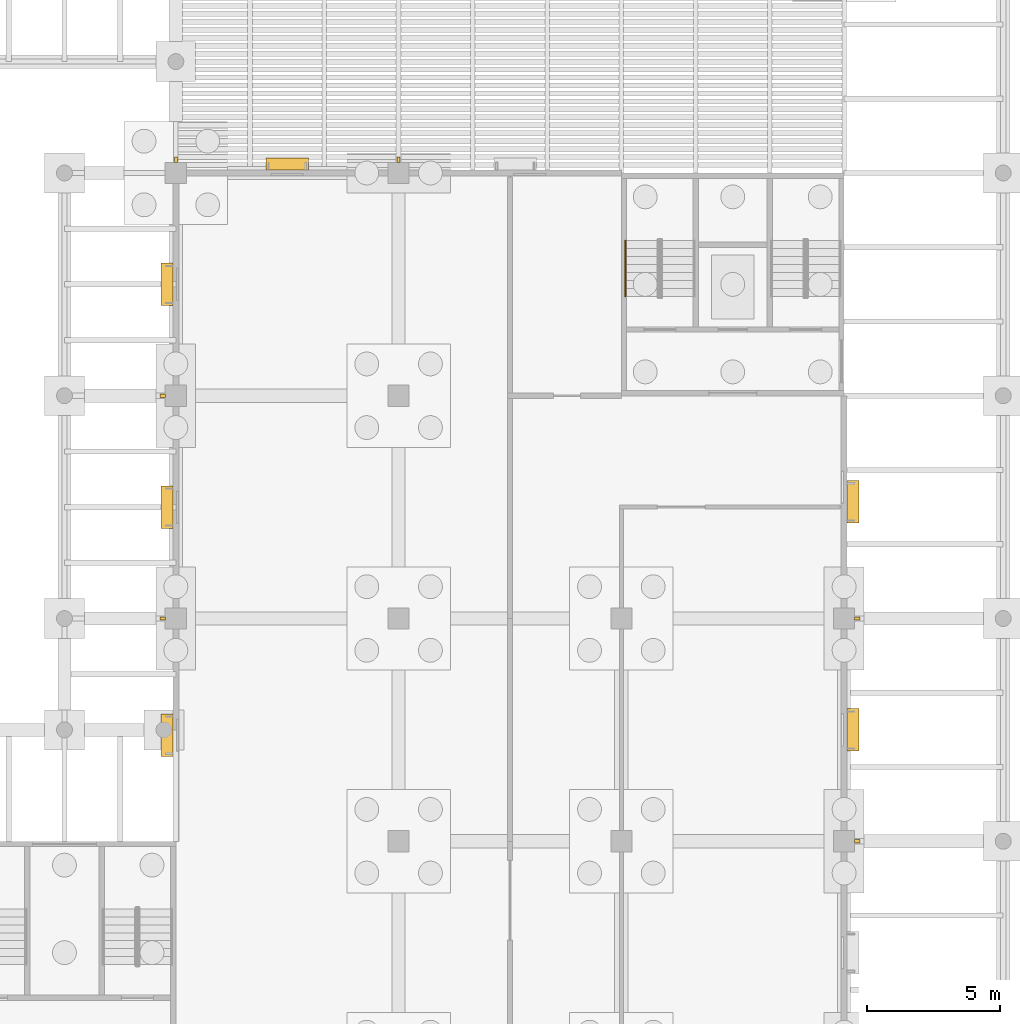
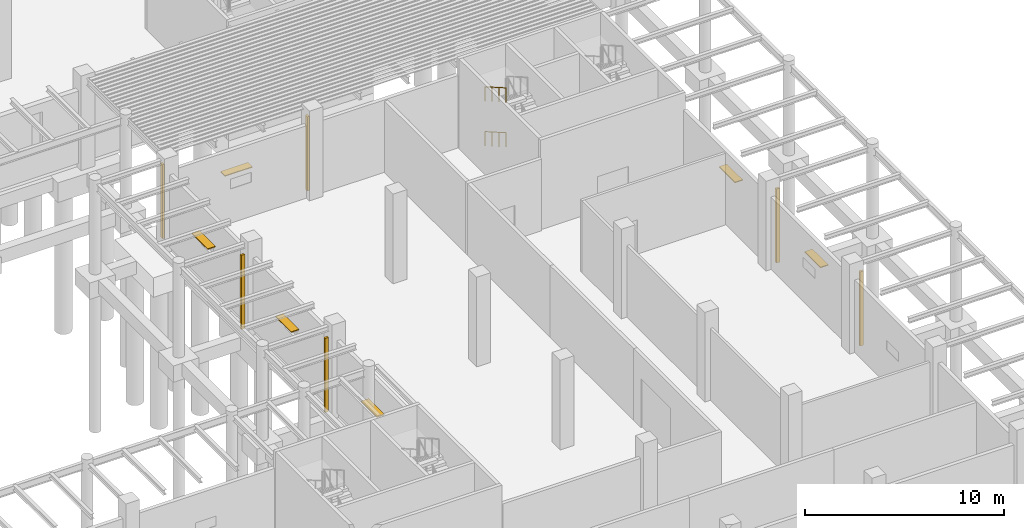
# One storey, part 76 of 82: 12 shading devices, 2 railings.
"""IFC4 building model written with IfcOpenShell, lengths in metres."""

from ifc_helpers import new_model, si_unit, direction, frame, origin, origin_2d, place, context, subcontext, project, spatial, rectangle, circle, extrude, material, material_profile, profile_set, type_object, element, save


model = new_model("IFC4")

# Units and contexts
model_context = context("Model", 3, precision=1e-05, world=origin(), true_north=direction((0.0, 1.0)))
body_context = subcontext(model_context, "Body", "Model", "MODEL_VIEW")
ifc_project = project(units=[si_unit("LENGTHUNIT", "METRE"), si_unit("AREAUNIT", "SQUARE_METRE"), si_unit("VOLUMEUNIT", "CUBIC_METRE"), si_unit("PLANEANGLEUNIT", "RADIAN"), si_unit("MASSUNIT", "GRAM", prefix="KILO")], contexts=[model_context])

# Site, building, storey
site_placement = place(None, origin())
site = spatial("IfcSite", under=ifc_project, at=site_placement, CompositionType="ELEMENT")
building_placement = place(site_placement, origin())
building = spatial("IfcBuilding", under=site, at=building_placement, Name="Almond Square Museum", CompositionType="ELEMENT")
storey_placement = place(building_placement, origin())
storey = spatial("IfcBuildingStorey", under=building, at=storey_placement, Name="L00", CompositionType="ELEMENT", Elevation=0.0)

# Railings
ifc_material_1 = material(Name="Stainless steel", Category="steel")
railing_type = type_object("IfcRailingType", Name="Stair handrail 900 steel", PredefinedType="HANDRAIL", material=ifc_material_1)
for number, where, name in (
    (1, (148.955078125, 39.449951171875, 1.546875), "L00 ST-33 stair handrail 2"),
    (2, (148.955078125, 39.449951171875, 4.296875), "L00 ST-33 stair handrail 4"),
):
    element("IfcRailing", number, at=place(storey_placement, frame(where)), inside=storey, type_object=railing_type, Name=name, PredefinedType="HANDRAIL", context=body_context, shape_type="SweptSolid", body=[
        extrude(circle(Radius=0.02392578125, at=origin_2d()), frame((0.0, 0.0, 0.8759765625), z_axis=(0.0, -0.867671429157, 0.497138100556), x_axis=(1.0, 0.0, 0.0)), (0.0, 0.0, 1.0), 2.420166015625),
        extrude(circle(Radius=0.02099609375, at=origin_2d()), origin(), (0.0, 0.0, 1.0), 0.851806640625),
        extrude(circle(Radius=0.02099609375, at=origin_2d()), frame((0.0, -0.699951171875, 0.401123046875)), (0.0, 0.0, 1.0), 0.851806640625),
        extrude(circle(Radius=0.02099609375, at=origin_2d()), frame((0.0, -1.39990234375, 0.802001953125)), (0.0, 0.0, 1.0), 0.851806640625),
        extrude(circle(Radius=0.02099609375, at=origin_2d()), frame((0.0, -2.099853515625, 1.203125)), (0.0, 0.0, 1.0), 0.851806640625),
    ])

# Shading devices
ifc_material_2 = material(Name="Anodised aluminium", Category="aluminium")
ifc_material_profile_1 = material_profile(ifc_material_2, rectangle(XDim=0.449951171875, YDim=0.050048828125, at=origin_2d()))
ifc_profile_set_1 = profile_set([ifc_material_profile_1], Name="Anodised aluminium")
shading_device_type_1 = type_object("IfcShadingDeviceType", Name="Sun-shade blade 450 x 50", PredefinedType="USERDEFINED", material=ifc_profile_set_1)
shading_device_1_placement = place(storey_placement, frame((157.532958984375, 20.199951171875, 2.820068359375), z_axis=(0.0, 1.0, 0.0), x_axis=(-1.0, 0.0, 0.0)))
element("IfcShadingDevice", 3, at=shading_device_1_placement, inside=storey, type_object=shading_device_type_1, Name="Sun-shade blade", ObjectType="LOUVRE", PredefinedType="USERDEFINED", context=body_context, shape_type="SweptSolid", body=[
    extrude(rectangle(XDim=0.449951171875, YDim=0.050048828125, at=origin_2d()), origin(), (0.0, 0.0, 1.0), 1.60009765625),
])
shading_device_2_placement = place(storey_placement, frame((157.532958984375, 28.800048828125, 2.820068359375), z_axis=(0.0, 1.0, 0.0), x_axis=(-1.0, 0.0, 0.0)))
element("IfcShadingDevice", 4, at=shading_device_2_placement, inside=storey, type_object=shading_device_type_1, Name="Sun-shade blade", ObjectType="LOUVRE", PredefinedType="USERDEFINED", context=body_context, shape_type="SweptSolid", body=[
    extrude(rectangle(XDim=0.449951171875, YDim=0.050048828125, at=origin_2d()), origin(), (0.0, 0.0, 1.0), 1.599853515625),
])
for number, where, z_axis, x_axis, name in (
    (5, (135.39990234375, 42.3330078125, 2.820068359375), (1.0, 0.0, 0.0), (0.0, 1.0, 0.0), "Sun-shade blade"),
    (6, (131.6669921875, 37.0, 2.820068359375), (0.0, 1.0, 0.0), (-1.0, 0.0, 0.0), "Sun-shade blade"),
):
    element("IfcShadingDevice", number, at=place(storey_placement, frame(where, z_axis=z_axis, x_axis=x_axis)), inside=storey, type_object=shading_device_type_1, Name=name, ObjectType="LOUVRE", PredefinedType="USERDEFINED", context=body_context, shape_type="SweptSolid", body=[
        extrude(rectangle(XDim=0.449951171875, YDim=0.050048828125, at=origin_2d()), origin(), (0.0, 0.0, 1.0), 1.60009765625),
    ])
shading_device_3_placement = place(storey_placement, frame((131.6669921875, 28.60009765625, 2.820068359375), z_axis=(0.0, 1.0, 0.0), x_axis=(-1.0, 0.0, 0.0)))
element("IfcShadingDevice", 7, at=shading_device_3_placement, inside=storey, type_object=shading_device_type_1, Name="Sun-shade blade", ObjectType="LOUVRE", PredefinedType="USERDEFINED", context=body_context, shape_type="SweptSolid", body=[
    extrude(rectangle(XDim=0.449951171875, YDim=0.050048828125, at=origin_2d()), origin(), (0.0, 0.0, 1.0), 1.599853515625),
])
shading_device_4_placement = place(storey_placement, frame((131.6669921875, 20.0, 2.820068359375), z_axis=(0.0, 1.0, 0.0), x_axis=(-1.0, 0.0, 0.0)))
element("IfcShadingDevice", 8, at=shading_device_4_placement, inside=storey, type_object=shading_device_type_1, Name="Sun-shade blade", ObjectType="LOUVRE", PredefinedType="USERDEFINED", context=body_context, shape_type="SweptSolid", body=[
    extrude(rectangle(XDim=0.449951171875, YDim=0.050048828125, at=origin_2d()), origin(), (0.0, 0.0, 1.0), 1.60009765625),
])
ifc_material_3 = material(Name="Anodised aluminium", Category="aluminium")
ifc_material_profile_2 = material_profile(ifc_material_3, rectangle(XDim=0.199951171875, YDim=0.1201171875, at=origin_2d()))
ifc_profile_set_2 = profile_set([ifc_material_profile_2], Name="Anodised aluminium")
shading_device_type_2 = type_object("IfcShadingDeviceType", Name="Vertical aluminium fin 200 x 120", PredefinedType="USERDEFINED", material=ifc_profile_set_2)
for number, where, z_axis, x_axis, name in (
    (9, (157.697998046875, 16.800048828125, 0.0), (0.0, 0.0, 1.0), (1.0, 0.0, 0.0), "Vertical fin V5E L00 E03"),
    (10, (157.697998046875, 25.199951171875, 0.0), (0.0, 0.0, 1.0), (1.0, 0.0, 0.0), "Vertical fin V5E L00 E04"),
    (11, (140.39990234375, 42.498046875, 0.0), (0.0, 0.0, 1.0), (0.0, 1.0, 0.0), "Vertical fin V5E L00 N01"),
    (12, (132.0, 42.498046875, 0.0), (0.0, 0.0, 1.0), (0.0, 1.0, 0.0), "Vertical fin V5E L00 N02"),
    (13, (131.501953125, 33.60009765625, 0.0), (0.0, 0.0, 1.0), (-1.0, 0.0, 0.0), "Vertical fin V5E L00 W01"),
    (14, (131.501953125, 25.199951171875, 0.0), (0.0, 0.0, 1.0), (-1.0, 0.0, 0.0), "Vertical fin V5E L00 W02"),
):
    element("IfcShadingDevice", number, at=place(storey_placement, frame(where, z_axis=z_axis, x_axis=x_axis)), inside=storey, type_object=shading_device_type_2, Name=name, ObjectType="FIN", PredefinedType="USERDEFINED", context=body_context, shape_type="SweptSolid", body=[
        extrude(rectangle(XDim=0.199951171875, YDim=0.1201171875, at=origin_2d()), origin(), (0.0, 0.0, 1.0), 4.550048828125),
    ])

save(model, "model.ifc")
